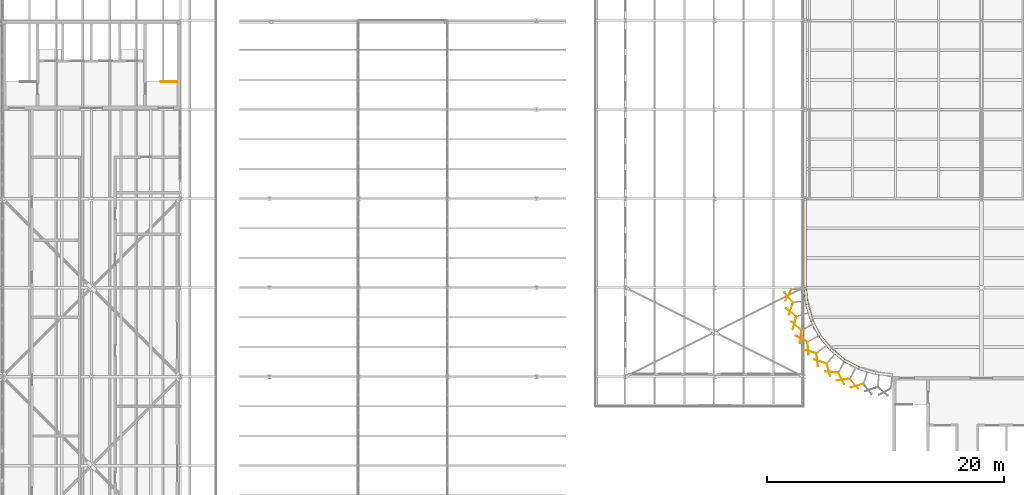
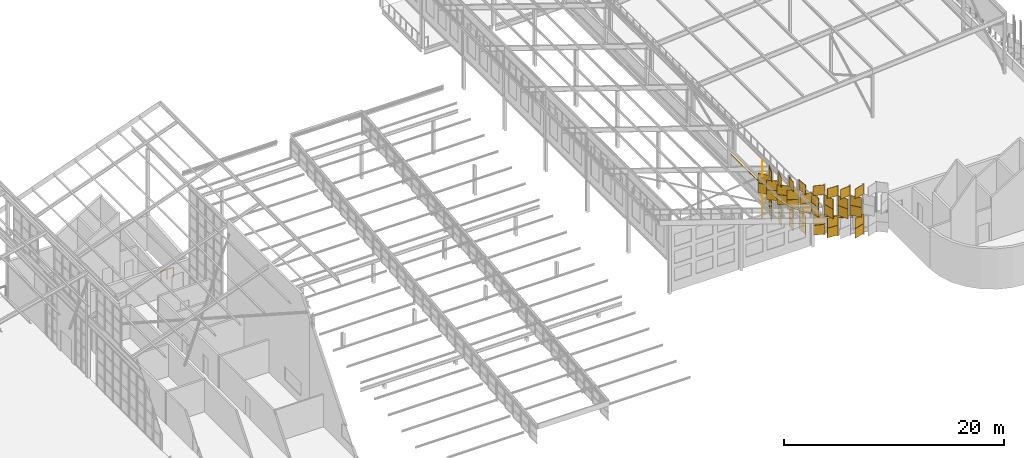
# One storey, part 466 of 483: 50 coverings, 1 railing.
"""IFC4 building model written with IfcOpenShell, lengths in metres."""

from ifc_helpers import new_model, si_unit, direction, frame, origin, origin_2d, place, context, subcontext, project, spatial, polyline, rectangle, circle, outline, extrude, material, layer, layer_set, type_object, element, save


model = new_model("IFC4")

# Units and contexts
model_context = context("Model", 3, precision=1e-05, world=origin(), true_north=direction((0.0, 1.0)))
body_context = subcontext(model_context, "Body", "Model", "MODEL_VIEW")
ifc_project = project(units=[si_unit("LENGTHUNIT", "METRE"), si_unit("AREAUNIT", "SQUARE_METRE"), si_unit("VOLUMEUNIT", "CUBIC_METRE"), si_unit("PLANEANGLEUNIT", "RADIAN"), si_unit("MASSUNIT", "GRAM", prefix="KILO")], contexts=[model_context])

# Site, building, storey
site_placement = place(None, origin())
site = spatial("IfcSite", under=ifc_project, at=site_placement, CompositionType="ELEMENT")
building_placement = place(site_placement, origin())
building = spatial("IfcBuilding", under=site, at=building_placement, Name="Parallax Yard Mobility Hub", CompositionType="ELEMENT")
storey_placement = place(building_placement, frame((0.0, 0.0, 13.199951171875)))
storey = spatial("IfcBuildingStorey", under=building, at=storey_placement, Name="L04", CompositionType="ELEMENT", Elevation=13.199951171875)

# Coverings
ifc_material_1 = material(Name="Concrete fc' 35 MPa", Category="concrete")
ifc_layer_1 = layer(ifc_material_1, 0.06005859375)
ifc_layer_set_1 = layer_set([ifc_layer_1], Name="Parapet coping, Concrete fc' 35 MPa precast, 240")
covering_type_1 = type_object("IfcCoveringType", Name="Parapet coping, Concrete fc' 35 MPa precast, 240", PredefinedType="USERDEFINED", material=ifc_layer_set_1)
covering_1_placement = place(storey_placement, frame((0.0, 0.0, 1.199951171875)))
element("IfcCovering", 1, at=covering_1_placement, inside=storey, type_object=covering_type_1, Name="Parapet coping run 3 part 5", ObjectType="COPING", PredefinedType="USERDEFINED", context=body_context, shape_type="SweptSolid", body=[
    extrude(outline(polyline([(195.26611328125, 37.49951171875), (195.02587890625, 37.49951171875), (195.02587890625, 30.0009765625), (195.26611328125, 30.0126953125), (195.26611328125, 37.49951171875)])), origin(), (0.0, 0.0, 1.0), 0.06005859375),
])
covering_2_placement = place(storey_placement, frame((0.0, 0.0, 1.199951171875)))
element("IfcCovering", 2, at=covering_2_placement, inside=storey, type_object=covering_type_1, Name="Parapet coping run 3 part 6", ObjectType="COPING", PredefinedType="USERDEFINED", context=body_context, shape_type="SweptSolid", body=[
    extrude(outline(polyline([(195.26611328125, 30.0126953125), (195.02587890625, 30.0009765625), (195.169677734375, 28.542236328125), (195.40625, 28.589111328125), (195.26611328125, 30.0126953125)])), origin(), (0.0, 0.0, 1.0), 0.06005859375),
])
covering_3_placement = place(storey_placement, frame((0.0, 0.0, 1.199951171875)))
element("IfcCovering", 3, at=covering_3_placement, inside=storey, type_object=covering_type_1, Name="Parapet coping run 3 part 7", ObjectType="COPING", PredefinedType="USERDEFINED", context=body_context, shape_type="SweptSolid", body=[
    extrude(outline(polyline([(195.40625, 28.589111328125), (195.169677734375, 28.542236328125), (195.5947265625, 27.140625), (195.817626953125, 27.23291015625), (195.40625, 28.589111328125)])), origin(), (0.0, 0.0, 1.0), 0.06005859375),
])
covering_4_placement = place(storey_placement, frame((0.0, 0.0, 1.199951171875)))
element("IfcCovering", 4, at=covering_4_placement, inside=storey, type_object=covering_type_1, Name="Parapet coping run 3 part 8", ObjectType="COPING", PredefinedType="USERDEFINED", context=body_context, shape_type="SweptSolid", body=[
    extrude(outline(polyline([(195.817626953125, 27.23291015625), (195.5947265625, 27.140625), (196.284912109375, 25.84912109375), (196.485595703125, 25.98291015625), (195.817626953125, 27.23291015625)])), origin(), (0.0, 0.0, 1.0), 0.06005859375),
])
covering_5_placement = place(storey_placement, frame((0.0, 0.0, 1.199951171875)))
element("IfcCovering", 5, at=covering_5_placement, inside=storey, type_object=covering_type_1, Name="Parapet coping run 3 part 9", ObjectType="COPING", PredefinedType="USERDEFINED", context=body_context, shape_type="SweptSolid", body=[
    extrude(outline(polyline([(196.485595703125, 25.98291015625), (196.284912109375, 25.84912109375), (197.2138671875, 24.716796875), (197.384521484375, 24.88720703125), (196.485595703125, 25.98291015625)])), origin(), (0.0, 0.0, 1.0), 0.06005859375),
])
covering_6_placement = place(storey_placement, frame((0.0, 0.0, 1.199951171875)))
element("IfcCovering", 6, at=covering_6_placement, inside=storey, type_object=covering_type_1, Name="Parapet coping run 3 part 10", ObjectType="COPING", PredefinedType="USERDEFINED", context=body_context, shape_type="SweptSolid", body=[
    extrude(outline(polyline([(197.384521484375, 24.88720703125), (197.2138671875, 24.716796875), (198.345703125, 23.78759765625), (198.479736328125, 23.98779296875), (197.384521484375, 24.88720703125)])), origin(), (0.0, 0.0, 1.0), 0.06005859375),
])
covering_7_placement = place(storey_placement, frame((0.0, 0.0, 1.199951171875)))
element("IfcCovering", 7, at=covering_7_placement, inside=storey, type_object=covering_type_1, Name="Parapet coping run 3 part 11", ObjectType="COPING", PredefinedType="USERDEFINED", context=body_context, shape_type="SweptSolid", body=[
    extrude(outline(polyline([(198.479736328125, 23.98779296875), (198.345703125, 23.78759765625), (199.636962890625, 23.0966796875), (199.729248046875, 23.3193359375), (198.479736328125, 23.98779296875)])), origin(), (0.0, 0.0, 1.0), 0.06005859375),
])
ifc_material_2 = material(Name="Aluminium panel, silver anodised", Category="aluminium")
ifc_layer_2 = layer(ifc_material_2, 0.030029296875)
ifc_layer_set_2 = layer_set([ifc_layer_2], Name="Skin panel 32.5 degree turn, silver anodised")
covering_type_2 = type_object("IfcCoveringType", Name="Skin panel 32.5 degree turn, silver anodised", PredefinedType="CLADDING", material=ifc_layer_set_2)
for number, where, z_axis, x_axis, name in (
    (8, (194.244140625, 27.02880859375, 0.02001953125), (0.0, 0.0, 1.0), (-0.269340053953, -0.963045136708, 0.0), "Skin panel 32.5 bay 30.3 row 1 level L04"),
    (9, (194.244140625, 27.02880859375, 1.1201171875), (0.0, 0.0, 1.0), (-0.269340053953, -0.963045136708, 0.0), "Skin panel 32.5 bay 30.3 row 2 level L04"),
    (10, (194.3994140625, 26.7724609375, 2.219970703125), (0.0, 0.0, 1.0), (-0.758987281247, 0.651105449912, 0.0), "Skin panel 32.5 bay 30.3 row 3 level L04"),
    (11, (194.3994140625, 26.7724609375, 3.320068359375), (0.0, 0.0, 1.0), (-0.758987281247, 0.651105449912, 0.0), "Skin panel 32.5 bay 30.3 row 4 level L04"),
    (12, (194.244140625, 27.02880859375, 4.419921875), (0.0, 0.0, 1.0), (-0.269340053953, -0.963045136708, 0.0), "Skin panel 32.5 bay 30.3 row 5 level L04"),
    (13, (196.43359375, 23.7685546875, 0.02001953125), (0.0, 0.0, 1.0), (-0.950380082985, 0.311091140771, 0.0), "Skin panel 32.5 bay 30.6 row 1 level L04"),
    (14, (196.43359375, 23.7685546875, 1.1201171875), (0.0, 0.0, 1.0), (-0.950380082985, 0.311091140771, 0.0), "Skin panel 32.5 bay 30.6 row 2 level L04"),
    (15, (196.1591796875, 23.913330078125, 2.219970703125), (0.0, 0.0, 1.0), (0.119703655305, -0.992809667009, 0.0), "Skin panel 32.5 bay 30.6 row 3 level L04"),
    (16, (196.1591796875, 23.913330078125, 3.320068359375), (0.0, 0.0, 1.0), (0.119703655305, -0.992809667009, 0.0), "Skin panel 32.5 bay 30.6 row 4 level L04"),
    (17, (196.43359375, 23.7685546875, 4.419921875), (0.0, 0.0, 1.0), (-0.950380082985, 0.311091140771, 0.0), "Skin panel 32.5 bay 30.6 row 5 level L04"),
    (18, (199.5244140625, 21.74560546875, 0.02001953125), (0.0, 0.0, 1.0), (-0.963045136708, -0.269340053953, 0.0), "Skin panel 32.5 bay 30.9 row 1 level L04"),
    (19, (199.5244140625, 21.74560546875, 1.1201171875), (0.0, 0.0, 1.0), (-0.963045136708, -0.269340053953, 0.0), "Skin panel 32.5 bay 30.9 row 2 level L04"),
    (20, (199.2685546875, 21.901611328125, 2.219970703125), (0.0, 0.0, 1.0), (0.651105449912, -0.758987281247, 0.0), "Skin panel 32.5 bay 30.9 row 3 level L04"),
    (21, (199.2685546875, 21.901611328125, 3.320068359375), (0.0, 0.0, 1.0), (0.651105449912, -0.758987281247, 0.0), "Skin panel 32.5 bay 30.9 row 4 level L04"),
    (22, (199.5244140625, 21.74560546875, 4.419921875), (0.0, 0.0, 1.0), (-0.963045136708, -0.269340053953, 0.0), "Skin panel 32.5 bay 30.9 row 5 level L04"),
):
    element("IfcCovering", number, at=place(storey_placement, frame(where, z_axis=z_axis, x_axis=x_axis)), inside=storey, type_object=covering_type_2, Name=name, ObjectType="SCREEN", PredefinedType="CLADDING", context=body_context, shape_type="SweptSolid", body=[
        extrude(rectangle(XDim=1.080078125, YDim=0.030029296875, at=origin_2d()), origin(), (0.0, 0.0, 1.0), 1.080078125),
    ])
ifc_layer_3 = layer(ifc_material_2, 0.030029296875)
ifc_layer_set_3 = layer_set([ifc_layer_3], Name="Skin panel 35 degree turn, silver anodised")
covering_type_3 = type_object("IfcCoveringType", Name="Skin panel 35 degree turn, silver anodised", PredefinedType="CLADDING", material=ifc_layer_set_3)
for number, where, z_axis, x_axis, name in (
    (23, (193.736328125, 29.37158203125, 0.02001953125), (0.0, 0.0, 1.0), (-0.490523568159, -0.87142792535, 0.0), "Skin panel 35 bay 30.1 row 1 level L04"),
    (24, (193.736328125, 29.37158203125, 1.1201171875), (0.0, 0.0, 1.0), (-0.490523568159, -0.87142792535, 0.0), "Skin panel 35 bay 30.1 row 2 level L04"),
    (25, (193.754638671875, 29.185791015625, 2.219970703125), (0.0, 0.0, 1.0), (-0.651105449912, 0.758987281247, 0.0), "Skin panel 35 bay 30.1 row 3 level L04"),
    (26, (193.754638671875, 29.185791015625, 3.320068359375), (0.0, 0.0, 1.0), (-0.651105449912, 0.758987281247, 0.0), "Skin panel 35 bay 30.1 row 4 level L04"),
    (27, (193.736328125, 29.37158203125, 4.419921875), (0.0, 0.0, 1.0), (-0.490523568159, -0.87142792535, 0.0), "Skin panel 35 bay 30.1 row 5 level L04"),
    (28, (193.94384765625, 28.23486328125, 0.02001953125), (0.0, 0.0, 1.0), (-0.311091140771, -0.950380082985, 0.0), "Skin panel 35 bay 30.2 row 1 level L04"),
    (29, (193.94384765625, 28.23486328125, 1.1201171875), (0.0, 0.0, 1.0), (-0.311091140771, -0.950380082985, 0.0), "Skin panel 35 bay 30.2 row 2 level L04"),
    (30, (193.956298828125, 27.907958984375, 2.219970703125), (0.0, 0.0, 1.0), (-0.786665714369, 0.617379181571, 0.0), "Skin panel 35 bay 30.2 row 3 level L04"),
    (31, (193.956298828125, 27.907958984375, 3.320068359375), (0.0, 0.0, 1.0), (-0.786665714369, 0.617379181571, 0.0), "Skin panel 35 bay 30.2 row 4 level L04"),
    (32, (193.94384765625, 28.23486328125, 4.419921875), (0.0, 0.0, 1.0), (-0.311091140771, -0.950380082985, 0.0), "Skin panel 35 bay 30.2 row 5 level L04"),
    (33, (194.755126953125, 25.85791015625, 0.02001953125), (0.0, 0.0, 1.0), (-0.119703655305, -0.992809667009, 0.0), "Skin panel 35 bay 30.4 row 1 level L04"),
    (34, (194.755126953125, 25.85791015625, 1.1201171875), (0.0, 0.0, 1.0), (-0.119703655305, -0.992809667009, 0.0), "Skin panel 35 bay 30.4 row 2 level L04"),
    (35, (194.843017578125, 25.693115234375, 2.219970703125), (0.0, 0.0, 1.0), (-0.891994856589, 0.452045546177, 0.0), "Skin panel 35 bay 30.4 row 3 level L04"),
    (36, (194.843017578125, 25.693115234375, 3.320068359375), (0.0, 0.0, 1.0), (-0.891994856589, 0.452045546177, 0.0), "Skin panel 35 bay 30.4 row 4 level L04"),
    (37, (194.755126953125, 25.85791015625, 4.419921875), (0.0, 0.0, 1.0), (-0.119703655305, -0.992809667009, 0.0), "Skin panel 35 bay 30.4 row 5 level L04"),
    (38, (195.3818359375, 24.886962890625, 0.02001953125), (0.0, 0.0, 1.0), (0.076283974504, -0.997086132304, 0.0), "Skin panel 35 bay 30.5 row 1 level L04"),
    (39, (195.3818359375, 24.886962890625, 1.1201171875), (0.0, 0.0, 1.0), (0.076283974504, -0.997086132304, 0.0), "Skin panel 35 bay 30.5 row 2 level L04"),
    (40, (195.556884765625, 24.615478515625, 2.219970703125), (0.0, 0.0, 1.0), (-0.963045136708, 0.269340053953, 0.0), "Skin panel 35 bay 30.5 row 3 level L04"),
    (41, (195.556884765625, 24.615478515625, 3.320068359375), (0.0, 0.0, 1.0), (-0.963045136708, 0.269340053953, 0.0), "Skin panel 35 bay 30.5 row 4 level L04"),
    (42, (195.3818359375, 24.886962890625, 4.419921875), (0.0, 0.0, 1.0), (0.076283974504, -0.997086132304, 0.0), "Skin panel 35 bay 30.5 row 5 level L04"),
    (43, (197.383056640625, 22.8837890625, 0.02001953125), (0.0, 0.0, 1.0), (-0.997086132304, 0.076283974504, 0.0), "Skin panel 35 bay 30.7 row 1 level L04"),
    (44, (197.383056640625, 22.8837890625, 1.1201171875), (0.0, 0.0, 1.0), (-0.997086132304, 0.076283974504, 0.0), "Skin panel 35 bay 30.7 row 2 level L04"),
    (45, (197.112060546875, 23.059814453125, 2.219970703125), (0.0, 0.0, 1.0), (0.269340053953, -0.963045136708, 0.0), "Skin panel 35 bay 30.7 row 3 level L04"),
    (46, (197.112060546875, 23.059814453125, 3.320068359375), (0.0, 0.0, 1.0), (0.269340053953, -0.963045136708, 0.0), "Skin panel 35 bay 30.7 row 4 level L04"),
    (47, (197.383056640625, 22.8837890625, 4.419921875), (0.0, 0.0, 1.0), (-0.997086132304, 0.076283974504, 0.0), "Skin panel 35 bay 30.7 row 5 level L04"),
    (48, (198.189208984375, 22.34521484375, 2.219970703125), (0.0, 0.0, 1.0), (0.452045546177, -0.891994856589, 0.0), "Skin panel 35 bay 30.8 row 3 level L04"),
    (49, (198.189208984375, 22.34521484375, 3.320068359375), (0.0, 0.0, 1.0), (0.452045546177, -0.891994856589, 0.0), "Skin panel 35 bay 30.8 row 4 level L04"),
    (50, (198.35400390625, 22.257080078125, 4.419921875), (0.0, 0.0, 1.0), (-0.992809667009, -0.119703655305, 0.0), "Skin panel 35 bay 30.8 row 5 level L04"),
):
    element("IfcCovering", number, at=place(storey_placement, frame(where, z_axis=z_axis, x_axis=x_axis)), inside=storey, type_object=covering_type_3, Name=name, ObjectType="SCREEN", PredefinedType="CLADDING", context=body_context, shape_type="SweptSolid", body=[
        extrude(rectangle(XDim=1.080078125, YDim=0.030029296875, at=origin_2d()), origin(), (0.0, 0.0, 1.0), 1.080078125),
    ])

# Railing
ifc_material_3 = material(Name="Steel ASTM A36", Category="steel")
railing_type = type_object("IfcRailingType", Name="Stair guard 1100", PredefinedType="GUARDRAIL", material=ifc_material_3)
railing_placement = place(storey_placement, frame((142.199951171875, 47.35009765625, 0.0)))
element("IfcRailing", 51, at=railing_placement, inside=storey, type_object=railing_type, Name="L04 ST14 top well guard 1", PredefinedType="GUARDRAIL", context=body_context, shape_type="SweptSolid", body=[
    extrude(circle(Radius=0.02392578125, at=origin_2d()), frame((0.0, 0.0, 1.076171875), z_axis=(-1.0, 0.0, 0.0), x_axis=(0.0, -1.0, 0.0)), (0.0, 0.0, 1.0), 1.349853515625),
    extrude(circle(Radius=0.02099609375, at=origin_2d()), origin(), (0.0, 0.0, 1.0), 1.052001953125),
    extrude(circle(Radius=0.02099609375, at=origin_2d()), frame((-0.6748046875, 0.0, 0.0)), (0.0, 0.0, 1.0), 1.052001953125),
    extrude(circle(Radius=0.02099609375, at=origin_2d()), frame((-1.349853515625, 0.0, 0.0)), (0.0, 0.0, 1.0), 1.052001953125),
])

save(model, "model.ifc")
